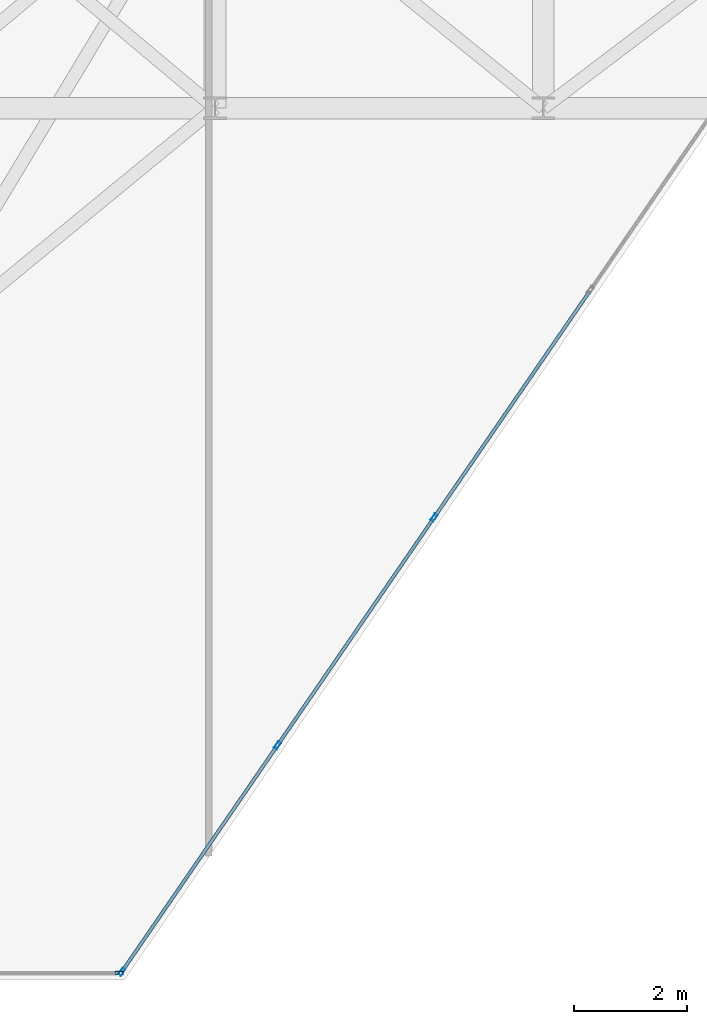
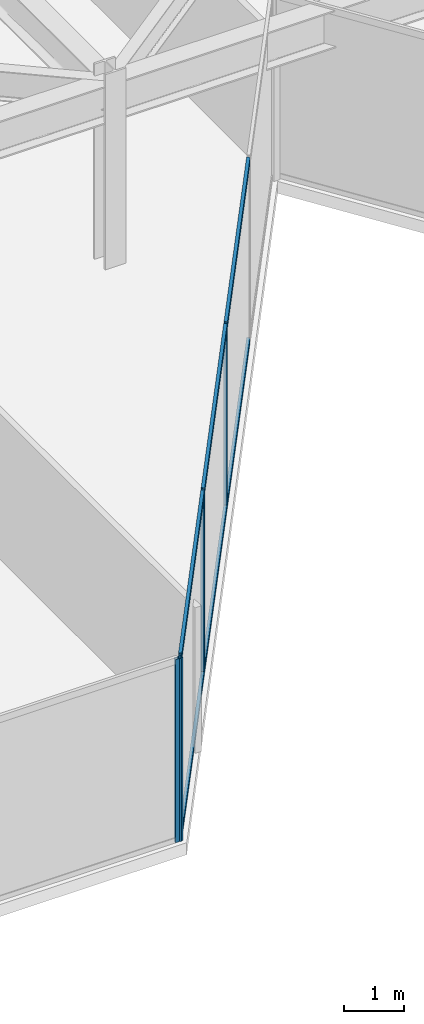
# One storey, part 6 of 26: 10 members, 2 elements without a shape of their own.
"""IFC4 building model written with IfcOpenShell, lengths in metres."""

from ifc_helpers import new_model, si_unit, direction, frame, origin, origin_2d, place, context, subcontext, project, spatial, hollow_rectangle, extrude, material, layer, layer_set, material_profile, profile_set, type_object, element, aggregate, save


model = new_model("IFC4")

# Units and contexts
model_context = context("Model", 3, precision=1e-05, world=origin(), true_north=direction((0.0, 1.0)))
body_context = subcontext(model_context, "Body", "Model", "MODEL_VIEW")
ifc_project = project(units=[si_unit("LENGTHUNIT", "METRE"), si_unit("AREAUNIT", "SQUARE_METRE"), si_unit("VOLUMEUNIT", "CUBIC_METRE"), si_unit("PLANEANGLEUNIT", "RADIAN"), si_unit("MASSUNIT", "GRAM", prefix="KILO")], contexts=[model_context])

# Site, building, storey
site_placement = place(None, origin())
site = spatial("IfcSite", under=ifc_project, at=site_placement, CompositionType="ELEMENT")
building_placement = place(site_placement, origin())
building = spatial("IfcBuilding", under=site, at=building_placement, Name="Kravanh Interchange Tower", CompositionType="ELEMENT")
storey_placement = place(building_placement, frame((0.0, 0.0, 212.5)))
storey = spatial("IfcBuildingStorey", under=building, at=storey_placement, Name="L51", CompositionType="ELEMENT", Elevation=212.5)

# Curtain wall, members
ifc_material_1 = material(Name="Anodised Bronze Aluminium", Category="aluminium")
ifc_layer = layer(ifc_material_1, 0.179931640625)
ifc_layer_set = layer_set([ifc_layer], Name="Unitised Curtain Wall System CW-Z3 Upper Office")
curtain_wall_type = type_object("IfcCurtainWallType", Name="Unitised Curtain Wall System CW-Z3 Upper Office", PredefinedType="NOTDEFINED", material=ifc_layer_set)
curtain_wall_1_placement = place(storey_placement, origin())
curtain_wall_1 = element("IfcCurtainWall", 1, at=curtain_wall_1_placement, inside=storey, type_object=curtain_wall_type, Name="L51 Unitised Curtain Wall CW-L51-05", PredefinedType="NOTDEFINED")
ifc_material_2 = material(Name="Anodised Bronze Aluminium", Category="aluminium")
ifc_material_profile_1 = material_profile(ifc_material_2, hollow_rectangle(XDim=0.06005859375, YDim=0.139892578125, WallThickness=0.00390625, at=origin_2d()), Name="ALU60X140X4")
ifc_profile_set_1 = profile_set([ifc_material_profile_1], Name="Anodised Bronze Aluminium")
member_type_1 = type_object("IfcMemberType", Name="Curtain Wall Mullion ALU60X140X4 Bronze", PredefinedType="MULLION", material=ifc_profile_set_1)
member_1_placement = place(storey_placement, frame((36.66845703125, 19.56591796875, 0.0), z_axis=(0.0, 0.0, 1.0), x_axis=(0.824042223035, -0.566528388217, 0.0)))
member_1 = element("IfcMember", 2, at=member_1_placement, type_object=member_type_1, Name="CW-Z3 mullion 3", PredefinedType="MULLION", context=body_context, shape_type="SweptSolid", body=[
    extrude(hollow_rectangle(XDim=0.06005859375, YDim=0.139892578125, WallThickness=0.00390625, at=origin_2d()), origin(), (0.0, 0.0, 1.0), 3.7548828125),
])
member_2_placement = place(storey_placement, frame((33.902587890625, 15.54296875, 0.0), z_axis=(0.0, 0.0, 1.0), x_axis=(0.824042223035, -0.566528388217, 0.0)))
member_2 = element("IfcMember", 3, at=member_2_placement, type_object=member_type_1, Name="CW-Z3 mullion 4", PredefinedType="MULLION", context=body_context, shape_type="SweptSolid", body=[
    extrude(hollow_rectangle(XDim=0.06005859375, YDim=0.139892578125, WallThickness=0.00390625, at=origin_2d()), origin(), (0.0, 0.0, 1.0), 3.7548828125),
])
member_3_placement = place(storey_placement, frame((31.15380859375, 11.544677734375, 0.0), z_axis=(0.0, 0.0, 1.0), x_axis=(0.824042223035, -0.566528388217, 0.0)))
member_3 = element("IfcMember", 4, at=member_3_placement, type_object=member_type_1, Name="CW-Z3 mullion 5", PredefinedType="MULLION", context=body_context, shape_type="SweptSolid", body=[
    extrude(hollow_rectangle(XDim=0.06005859375, YDim=0.139892578125, WallThickness=0.00390625, at=origin_2d()), origin(), (0.0, 0.0, 1.0), 3.7548828125),
])

# Curtain wall, member
curtain_wall_2_placement = place(storey_placement, origin())
curtain_wall_2 = element("IfcCurtainWall", 5, at=curtain_wall_2_placement, inside=storey, type_object=curtain_wall_type, Name="L51 Unitised Curtain Wall CW-L51-06", PredefinedType="NOTDEFINED")
member_4_placement = place(storey_placement, frame((31.10693359375, 11.52001953125, 0.0), z_axis=(0.0, 0.0, 1.0), x_axis=(0.0, -1.0, 0.0)))
member_4 = element("IfcMember", 6, at=member_4_placement, type_object=member_type_1, Name="CW-Z3 mullion 1", PredefinedType="MULLION", context=body_context, shape_type="SweptSolid", body=[
    extrude(hollow_rectangle(XDim=0.06005859375, YDim=0.139892578125, WallThickness=0.00390625, at=origin_2d()), origin(), (0.0, 0.0, 1.0), 3.7548828125),
])
aggregate(curtain_wall_2, [member_4])

# Member
ifc_material_3 = material(Name="Anodised Bronze Aluminium", Category="aluminium")
ifc_material_profile_2 = material_profile(ifc_material_3, hollow_rectangle(XDim=0.06005859375, YDim=0.139892578125, WallThickness=0.00390625, at=origin_2d()), Name="ALU60X140X4")
ifc_profile_set_2 = profile_set([ifc_material_profile_2], Name="Anodised Bronze Aluminium")
member_type_2 = type_object("IfcMemberType", Name="Curtain Wall Transom ALU60X140X4 Bronze", PredefinedType="USERDEFINED", material=ifc_profile_set_2)
member_5_placement = place(storey_placement, frame((39.417236328125, 23.564208984375, 0.030029296875), z_axis=(-0.566503037389, -0.824059651135, 0.0), x_axis=(0.824059651135, -0.566503037389, 0.0)))
member_5 = element("IfcMember", 7, at=member_5_placement, type_object=member_type_2, Name="CW-Z3 transom 2.1", ObjectType="TRANSOM", PredefinedType="USERDEFINED", context=body_context, shape_type="SweptSolid", body=[
    extrude(hollow_rectangle(XDim=0.06005859375, YDim=0.139892578125, WallThickness=0.00390625, at=origin_2d()), origin(), (0.0, 0.0, 1.0), 4.822021484375),
])

member_6_placement = place(storey_placement, frame((39.417236328125, 23.564208984375, 3.72509765625), z_axis=(-0.566503037389, -0.824059651135, 0.0), x_axis=(0.824059651135, -0.566503037389, 0.0)))
member_6 = element("IfcMember", 8, at=member_6_placement, type_object=member_type_2, Name="CW-Z3 transom 2.2", ObjectType="TRANSOM", PredefinedType="USERDEFINED", context=body_context, shape_type="SweptSolid", body=[
    extrude(hollow_rectangle(XDim=0.06005859375, YDim=0.139892578125, WallThickness=0.00390625, at=origin_2d()), origin(), (0.0, 0.0, 1.0), 4.822021484375),
])

member_7_placement = place(storey_placement, frame((36.6513671875, 19.541259765625, 0.030029296875), z_axis=(-0.566503037389, -0.824059651135, 0.0), x_axis=(0.824059651135, -0.566503037389, 0.0)))
member_7 = element("IfcMember", 9, at=member_7_placement, type_object=member_type_2, Name="CW-Z3 transom 3.1", ObjectType="TRANSOM", PredefinedType="USERDEFINED", context=body_context, shape_type="SweptSolid", body=[
    extrude(hollow_rectangle(XDim=0.06005859375, YDim=0.139892578125, WallThickness=0.00390625, at=origin_2d()), origin(), (0.0, 0.0, 1.0), 4.822021484375),
])

member_8_placement = place(storey_placement, frame((36.6513671875, 19.541259765625, 3.72509765625), z_axis=(-0.566503037389, -0.824059651135, 0.0), x_axis=(0.824059651135, -0.566503037389, 0.0)))
member_8 = element("IfcMember", 10, at=member_8_placement, type_object=member_type_2, Name="CW-Z3 transom 3.2", ObjectType="TRANSOM", PredefinedType="USERDEFINED", context=body_context, shape_type="SweptSolid", body=[
    extrude(hollow_rectangle(XDim=0.06005859375, YDim=0.139892578125, WallThickness=0.00390625, at=origin_2d()), origin(), (0.0, 0.0, 1.0), 4.822021484375),
])

member_9_placement = place(storey_placement, frame((33.8857421875, 15.518310546875, 0.030029296875), z_axis=(-0.566518012045, -0.824049356549, 0.0), x_axis=(0.824049356549, -0.566518012045, 0.0)))
member_9 = element("IfcMember", 11, at=member_9_placement, type_object=member_type_2, Name="CW-Z3 transom 4.1", ObjectType="TRANSOM", PredefinedType="USERDEFINED", context=body_context, shape_type="SweptSolid", body=[
    extrude(hollow_rectangle(XDim=0.06005859375, YDim=0.139892578125, WallThickness=0.00390625, at=origin_2d()), origin(), (0.0, 0.0, 1.0), 4.792236328125),
])

member_10_placement = place(storey_placement, frame((33.8857421875, 15.518310546875, 3.72509765625), z_axis=(-0.566518012045, -0.824049356549, 0.0), x_axis=(0.824049356549, -0.566518012045, 0.0)))
member_10 = element("IfcMember", 12, at=member_10_placement, type_object=member_type_2, Name="CW-Z3 transom 4.2", ObjectType="TRANSOM", PredefinedType="USERDEFINED", context=body_context, shape_type="SweptSolid", body=[
    extrude(hollow_rectangle(XDim=0.06005859375, YDim=0.139892578125, WallThickness=0.00390625, at=origin_2d()), origin(), (0.0, 0.0, 1.0), 4.792236328125),
])

aggregate(curtain_wall_1, [member_1, member_2, member_3, member_5, member_6, member_7, member_8, member_9, member_10])

save(model, "model.ifc")
